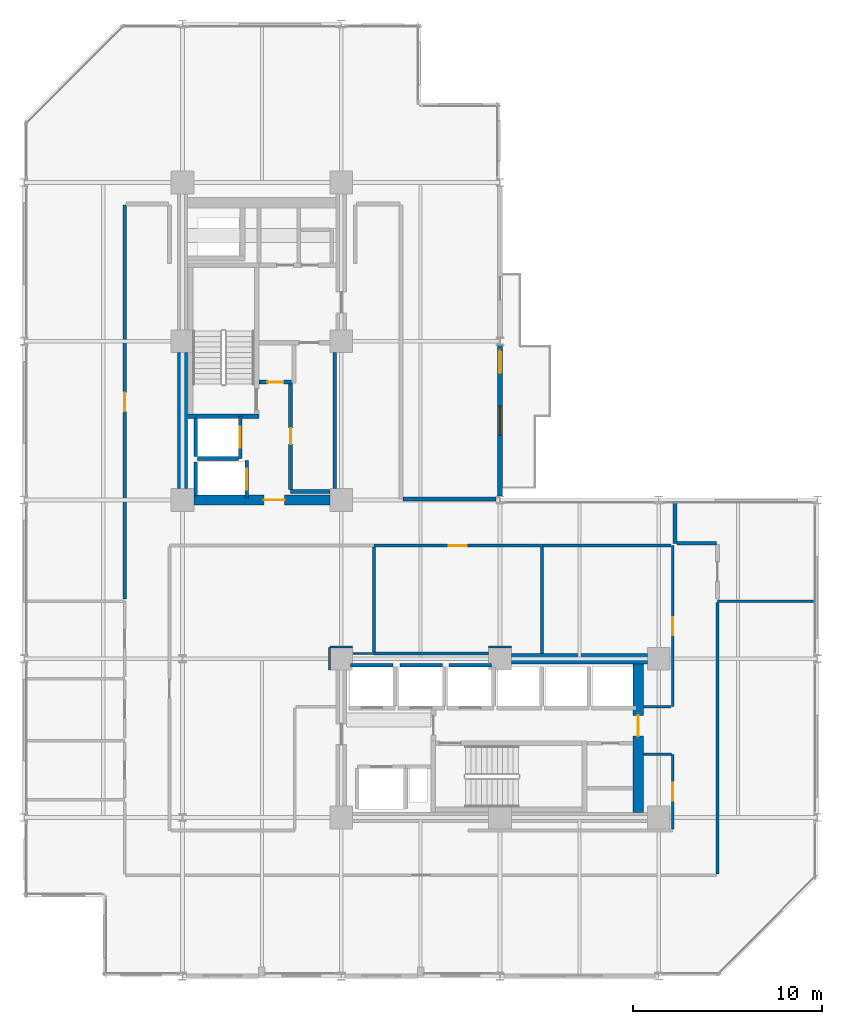
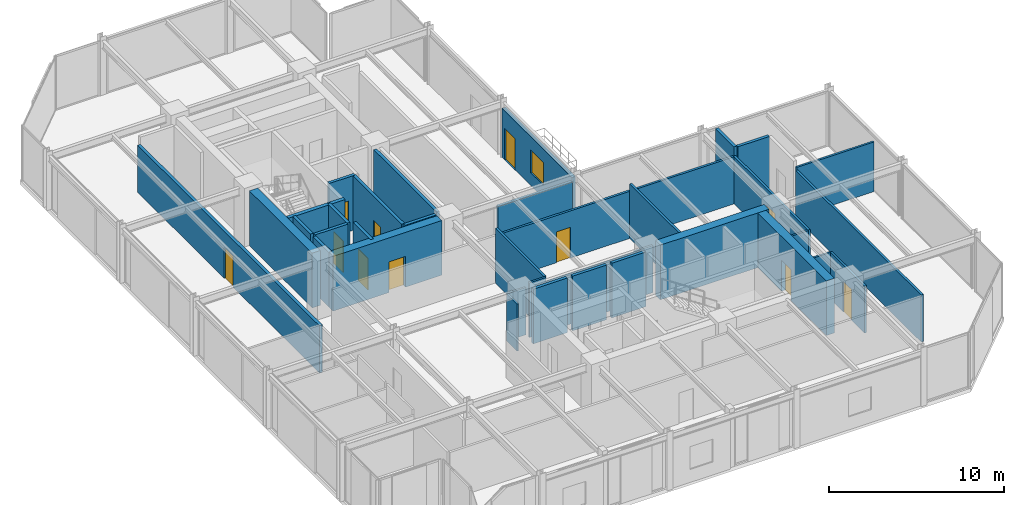
# One storey, part 25 of 29: 37 walls, 11 doors, 1 window, 12 openings.
"""IFC4 building model written with IfcOpenShell, lengths in metres."""

from ifc_helpers import new_model, si_unit, direction, frame, frame_2d, origin, place, context, subcontext, project, spatial, rectangle, extrude, material, layer, layer_set, type_object, element, fill, save


model = new_model("IFC4")

# Units and contexts
model_context = context("Model", 3, precision=1e-05, world=origin(), true_north=direction((0.0, 1.0)))
body_context = subcontext(model_context, "Body", "Model", "MODEL_VIEW")
ifc_project = project(units=[si_unit("LENGTHUNIT", "METRE"), si_unit("AREAUNIT", "SQUARE_METRE"), si_unit("VOLUMEUNIT", "CUBIC_METRE"), si_unit("PLANEANGLEUNIT", "RADIAN"), si_unit("MASSUNIT", "GRAM", prefix="KILO")], contexts=[model_context])

# Site, building, storey
site_placement = place(None, origin())
site = spatial("IfcSite", under=ifc_project, at=site_placement, CompositionType="ELEMENT")
building_placement = place(site_placement, origin())
building = spatial("IfcBuilding", under=site, at=building_placement, Name="Nerrivon Quay Data Exchange", CompositionType="ELEMENT")
storey_placement = place(building_placement, frame((0.0, 0.0, 145.89990234375)))
storey = spatial("IfcBuildingStorey", under=building, at=storey_placement, Name="L34", CompositionType="ELEMENT", Elevation=145.89990234375)

# Wall, openings, door, window
ifc_material_1 = material(Name="Architectural terracotta precast concrete N50 (50 MPa)", Category="masonry")
ifc_layer_1 = layer(ifc_material_1, 0.239990234375)
ifc_layer_set_1 = layer_set([ifc_layer_1], Name="Architectural terracotta precast concrete N50 (50 MPa)")
wall_type_1 = type_object("IfcWallType", Name="EW-PREC-240", PredefinedType="STANDARD", material=ifc_layer_set_1)
wall_1_placement = place(storey_placement, frame((25.199951171875, 33.39990234375, 0.0), z_axis=(0.0, 0.0, 1.0), x_axis=(0.0, -1.0, 0.0)))
wall_1 = element("IfcWall", 1, at=wall_1_placement, inside=storey, type_object=wall_type_1, Name="L34 Terrace Host Wall 25", PredefinedType="STANDARD", context=body_context, shape_type="SweptSolid", body=[
    extrude(rectangle(XDim=8.0, YDim=0.239990234375, at=frame_2d((4.0, 0.0))), origin(), (0.0, 0.0, 1.0), 3.422119140625),
])
opening_1_placement = place(wall_1_placement, frame((0.300048828125, 0.0, 0.0)))
opening_1 = element("IfcOpeningElement", 2, at=opening_1_placement, cuts=wall_1, Name="Opening TD1", PredefinedType="OPENING", context=body_context, shape_type="SweptSolid", body=[
    extrude(rectangle(XDim=1.199951171875, YDim=2.199951171875, at=frame_2d((0.60009765625, 1.10009765625))), frame((0.0, 0.1298828125, 0.0), z_axis=(0.0, -1.0, 0.0), x_axis=(1.0, 0.0, 0.0)), (0.0, 0.0, 1.0), 0.260009765625),
])
opening_2_placement = place(wall_1_placement, frame((3.25, 0.0, 0.89990234375)))
opening_2 = element("IfcOpeningElement", 3, at=opening_2_placement, cuts=wall_1, Name="Opening WN4", PredefinedType="OPENING", context=body_context, shape_type="SweptSolid", body=[
    extrude(rectangle(XDim=1.5, YDim=1.60009765625, at=frame_2d((0.75, 0.800048828125))), frame((0.0, 0.1298828125, 0.0), z_axis=(0.0, -1.0, 0.0), x_axis=(1.0, 0.0, 0.0)), (0.0, 0.0, 1.0), 0.260009765625),
])
ifc_material_2 = material(Name="Double-glazed low-E solar control glass", Category="glass")
door_type_1 = type_object("IfcDoorType", Name="DR-TERR-1200x2200", OperationType="NOTDEFINED", PredefinedType="DOOR", material=ifc_material_2)
door_1_placement = place(opening_1_placement, origin())
door_1 = element("IfcDoor", 4, at=door_1_placement, inside=storey, type_object=door_type_1, Name="L34 Outdoor Terrace Access Door 25", OperationType="SINGLE_SWING_RIGHT", OverallHeight=2.199951171875, OverallWidth=1.199951171875, PredefinedType="DOOR", context=body_context, shape_type="SweptSolid", body=[
    extrude(rectangle(XDim=1.199951171875, YDim=2.199951171875, at=frame_2d((0.60009765625, 1.10009765625))), frame((0.0, 0.02490234375, 0.0), z_axis=(0.0, -1.0, 0.0), x_axis=(1.0, 0.0, 0.0)), (0.0, 0.0, 1.0), 0.050048828125),
])
fill(opening_1, door_1)
window_type = type_object("IfcWindowType", Name="WIN-W4-1500x1600", PartitioningType="SINGLE_PANEL", PredefinedType="WINDOW", material=ifc_material_2)
window_placement = place(opening_2_placement, origin())
window = element("IfcWindow", 5, at=window_placement, inside=storey, type_object=window_type, Name="L34 Terrace Side Window 25", OverallHeight=1.60009765625, OverallWidth=1.5, PartitioningType="SINGLE_PANEL", PredefinedType="WINDOW", context=body_context, shape_type="SweptSolid", body=[
    extrude(rectangle(XDim=1.5, YDim=1.60009765625, at=frame_2d((0.75, 0.800048828125))), frame((0.0, 0.030029296875, 0.0), z_axis=(0.0, -1.0, 0.0), x_axis=(1.0, 0.0, 0.0)), (0.0, 0.0, 1.0), 0.06005859375),
])
fill(opening_2, window)

# Wall
ifc_material_3 = material(Name="Concrete S65 (65 MPa)", Category="concrete")
ifc_layer_2 = layer(ifc_material_3, 0.550048828125)
ifc_layer_set_2 = layer_set([ifc_layer_2], Name="Concrete S65 (65 MPa)")
wall_type_2 = type_object("IfcWallType", Name="WALL-CW-700", PredefinedType="SHEAR", material=ifc_layer_set_2)
wall_2_placement = place(storey_placement, frame((8.39990234375, 25.800048828125, 0.0), z_axis=(0.0, 0.0, 1.0), x_axis=(0.0, 1.0, 0.0)))
element("IfcWall", 6, at=wall_2_placement, inside=storey, type_object=wall_type_2, Name="L34 West Split-Core Shear Wall WCW-W1", PredefinedType="SHEAR", context=body_context, shape_type="SweptSolid", body=[
    extrude(rectangle(XDim=7.199951171875, YDim=0.550048828125, at=frame_2d((3.60009765625, 0.0))), origin(), (0.0, 0.0, 1.0), 3.8251953125),
])

# Wall, opening, door
wall_3_placement = place(storey_placement, frame((9.0, 25.199951171875, 0.0), z_axis=(0.0, 0.0, 1.0), x_axis=(1.0, 0.0, 0.0)))
wall_3 = element("IfcWall", 7, at=wall_3_placement, inside=storey, type_object=wall_type_2, Name="L34 West Split-Core Shear Wall WCW-S1", PredefinedType="SHEAR", context=body_context, shape_type="SweptSolid", body=[
    extrude(rectangle(XDim=7.199951171875, YDim=0.550048828125, at=frame_2d((3.60009765625, 0.0))), origin(), (0.0, 0.0, 1.0), 3.8251953125),
])
opening_3_placement = place(wall_3_placement, frame((3.699951171875, 0.0, 0.0)))
opening_3 = element("IfcOpeningElement", 8, at=opening_3_placement, cuts=wall_3, Name="Opening FD-120", PredefinedType="OPENING", context=body_context, shape_type="SweptSolid", body=[
    extrude(rectangle(XDim=1.10009765625, YDim=2.14990234375, at=frame_2d((0.550048828125, 1.074951171875))), frame((0.0, 0.284912109375, 0.0), z_axis=(0.0, -1.0, 0.0), x_axis=(1.0, 0.0, 0.0)), (0.0, 0.0, 1.0), 0.570068359375),
])
ifc_material_4 = material(Name="Powder-coated galvanized steel sheet", Category="steel")
door_type_2 = type_object("IfcDoorType", Name="DR-FD120-1100", OperationType="NOTDEFINED", PredefinedType="DOOR", material=ifc_material_4)
door_2_placement = place(opening_3_placement, origin())
door_2 = element("IfcDoor", 9, at=door_2_placement, inside=storey, type_object=door_type_2, Name="L34 West Core Lobby Fire Door", OperationType="SINGLE_SWING_LEFT", OverallHeight=2.14990234375, OverallWidth=1.10009765625, PredefinedType="DOOR", context=body_context, shape_type="SweptSolid", body=[
    extrude(rectangle(XDim=1.10009765625, YDim=2.14990234375, at=frame_2d((0.550048828125, 1.074951171875))), frame((0.0, 0.02490234375, 0.0), z_axis=(0.0, -1.0, 0.0), x_axis=(1.0, 0.0, 0.0)), (0.0, 0.0, 1.0), 0.050048828125),
])
fill(opening_3, door_2)

wall_4_placement = place(storey_placement, frame((32.52490234375, 8.675048828125, 0.0), z_axis=(0.0, 0.0, 1.0), x_axis=(0.0, 1.0, 0.0)))
wall_4 = element("IfcWall", 10, at=wall_4_placement, inside=storey, type_object=wall_type_2, Name="L34 East Split-Core Shear Wall ECW-E1", PredefinedType="SHEAR", context=body_context, shape_type="SweptSolid", body=[
    extrude(rectangle(XDim=7.849853515625, YDim=0.550048828125, at=frame_2d((3.9248046875, 0.0))), origin(), (0.0, 0.0, 1.0), 3.8251953125),
])
opening_4_placement = place(wall_4_placement, frame((4.02490234375, 0.0, 0.0)))
opening_4 = element("IfcOpeningElement", 11, at=opening_4_placement, cuts=wall_4, Name="Opening FD-120", PredefinedType="OPENING", context=body_context, shape_type="SweptSolid", body=[
    extrude(rectangle(XDim=1.10009765625, YDim=2.14990234375, at=frame_2d((0.550048828125, 1.074951171875))), frame((0.0, 0.284912109375, 0.0), z_axis=(0.0, -1.0, 0.0), x_axis=(1.0, 0.0, 0.0)), (0.0, 0.0, 1.0), 0.570068359375),
])
door_3_placement = place(opening_4_placement, origin())
door_3 = element("IfcDoor", 12, at=door_3_placement, inside=storey, type_object=door_type_2, Name="L34 East Core Lobby Fire Door", OperationType="SINGLE_SWING_RIGHT", OverallHeight=2.14990234375, OverallWidth=1.10009765625, PredefinedType="DOOR", context=body_context, shape_type="SweptSolid", body=[
    extrude(rectangle(XDim=1.10009765625, YDim=2.14990234375, at=frame_2d((0.550048828125, 1.074951171875))), frame((0.0, 0.02490234375, 0.0), z_axis=(0.0, -1.0, 0.0), x_axis=(1.0, 0.0, 0.0)), (0.0, 0.0, 1.0), 0.050048828125),
])
fill(opening_4, door_3)

# Wall
wall_5_placement = place(storey_placement, frame((25.800048828125, 16.800048828125, 0.0), z_axis=(0.0, 0.0, 1.0), x_axis=(1.0, 0.0, 0.0)))
element("IfcWall", 13, at=wall_5_placement, inside=storey, type_object=wall_type_2, Name="L34 East Split-Core Shear Wall ECW-N1", PredefinedType="SHEAR", context=body_context, shape_type="SweptSolid", body=[
    extrude(rectangle(XDim=7.199951171875, YDim=0.550048828125, at=frame_2d((3.60009765625, 0.0))), origin(), (0.0, 0.0, 1.0), 3.8251953125),
])

# Wall, opening, door
ifc_material_5 = material(Name="Gypsum plasterboard on cold-formed framing", Category="gypsum")
ifc_layer_3 = layer(ifc_material_5, 0.199951171875)
ifc_layer_set_3 = layer_set([ifc_layer_3], Name="Gypsum plasterboard on cold-formed framing")
wall_type_3 = type_object("IfcWallType", Name="WALL-FW-200", PredefinedType="PARTITIONING", material=ifc_layer_set_3)
wall_6_placement = place(storey_placement, frame((11.449951171875, 27.39990234375, 0.0), z_axis=(0.0, 0.0, 1.0), x_axis=(0.0, 1.0, 0.0)))
wall_6 = element("IfcWall", 14, at=wall_6_placement, inside=storey, type_object=wall_type_3, Name="L34 Lift Front Wall FFL-1", PredefinedType="PARTITIONING", context=body_context, shape_type="SweptSolid", body=[
    extrude(rectangle(XDim=2.25, YDim=0.199951171875, at=frame_2d((1.125, 0.0))), origin(), (0.0, 0.0, 1.0), 3.8251953125),
])
opening_5_placement = place(wall_6_placement, frame((0.574951171875, 0.0, 0.0)))
opening_5 = element("IfcOpeningElement", 15, at=opening_5_placement, cuts=wall_6, Name="Opening LD-120", PredefinedType="OPENING", context=body_context, shape_type="SweptSolid", body=[
    extrude(rectangle(XDim=1.10009765625, YDim=2.199951171875, at=frame_2d((0.550048828125, 1.10009765625))), frame((0.0, 0.10986328125, 0.0), z_axis=(0.0, -1.0, 0.0), x_axis=(1.0, 0.0, 0.0)), (0.0, 0.0, 1.0), 0.219970703125),
])
door_type_3 = type_object("IfcDoorType", Name="DR-LIFT-LD120", OperationType="DOUBLE_DOOR_SLIDING", PredefinedType="DOOR", material=ifc_material_4)
door_4_placement = place(opening_5_placement, origin())
door_4 = element("IfcDoor", 16, at=door_4_placement, inside=storey, type_object=door_type_3, Name="L34 Lift Landing Sliding Door FFL-1", OperationType="DOUBLE_DOOR_SLIDING", OverallHeight=2.199951171875, OverallWidth=1.10009765625, PredefinedType="DOOR", context=body_context, shape_type="SweptSolid", body=[
    extrude(rectangle(XDim=1.10009765625, YDim=2.199951171875, at=frame_2d((0.550048828125, 1.10009765625))), frame((0.0, 0.02490234375, 0.0), z_axis=(0.0, -1.0, 0.0), x_axis=(1.0, 0.0, 0.0)), (0.0, 0.0, 1.0), 0.050048828125),
])
fill(opening_5, door_4)

# Walls
wall_7_placement = place(storey_placement, frame((9.10009765625, 27.5, 0.0), z_axis=(0.0, 0.0, 1.0), x_axis=(0.0, 1.0, 0.0)))
element("IfcWall", 17, at=wall_7_placement, inside=storey, type_object=wall_type_3, Name="L34 Lift Shaft Wall FFL-1 WEST", PredefinedType="PARTITIONING", context=body_context, shape_type="SweptSolid", body=[
    extrude(rectangle(XDim=2.050048828125, YDim=0.199951171875, at=frame_2d((1.02490234375, 0.0))), origin(), (0.0, 0.0, 1.0), 3.8251953125),
])
wall_8_placement = place(storey_placement, frame((9.199951171875, 27.39990234375, 0.0), z_axis=(0.0, 0.0, 1.0), x_axis=(1.0, 0.0, 0.0)))
element("IfcWall", 18, at=wall_8_placement, inside=storey, type_object=wall_type_3, Name="L34 Lift Shaft Wall FFL-1 SOUTH", PredefinedType="PARTITIONING", context=body_context, shape_type="SweptSolid", body=[
    extrude(rectangle(XDim=2.150146484375, YDim=0.199951171875, at=frame_2d((1.0751953125, 0.0))), origin(), (0.0, 0.0, 1.0), 3.8251953125),
])

# Wall, opening, door
wall_9_placement = place(storey_placement, frame((11.800048828125, 25.300048828125, 0.0), z_axis=(0.0, 0.0, 1.0), x_axis=(0.0, 1.0, 0.0)))
wall_9 = element("IfcWall", 19, at=wall_9_placement, inside=storey, type_object=wall_type_3, Name="L34 Lift Front Wall SVL-1", PredefinedType="PARTITIONING", context=body_context, shape_type="SweptSolid", body=[
    extrude(rectangle(XDim=2.0, YDim=0.199951171875, at=frame_2d((1.0, 0.0))), origin(), (0.0, 0.0, 1.0), 3.8251953125),
])
opening_6_placement = place(wall_9_placement, frame((0.449951171875, 0.0, 0.0)))
opening_6 = element("IfcOpeningElement", 20, at=opening_6_placement, cuts=wall_9, Name="Opening LD-120", PredefinedType="OPENING", context=body_context, shape_type="SweptSolid", body=[
    extrude(rectangle(XDim=1.10009765625, YDim=2.199951171875, at=frame_2d((0.550048828125, 1.10009765625))), frame((0.0, 0.10986328125, 0.0), z_axis=(0.0, -1.0, 0.0), x_axis=(1.0, 0.0, 0.0)), (0.0, 0.0, 1.0), 0.219970703125),
])
door_5_placement = place(opening_6_placement, origin())
door_5 = element("IfcDoor", 21, at=door_5_placement, inside=storey, type_object=door_type_3, Name="L34 Lift Landing Sliding Door SVL-1", OperationType="DOUBLE_DOOR_SLIDING", OverallHeight=2.199951171875, OverallWidth=1.10009765625, PredefinedType="DOOR", context=body_context, shape_type="SweptSolid", body=[
    extrude(rectangle(XDim=1.10009765625, YDim=2.199951171875, at=frame_2d((0.550048828125, 1.10009765625))), frame((0.0, 0.02490234375, 0.0), z_axis=(0.0, -1.0, 0.0), x_axis=(1.0, 0.0, 0.0)), (0.0, 0.0, 1.0), 0.050048828125),
])
fill(opening_6, door_5)

# Walls
wall_10_placement = place(storey_placement, frame((9.10009765625, 25.39990234375, 0.0), z_axis=(0.0, 0.0, 1.0), x_axis=(0.0, 1.0, 0.0)))
element("IfcWall", 22, at=wall_10_placement, inside=storey, type_object=wall_type_3, Name="L34 Lift Shaft Wall SVL-1 WEST", PredefinedType="PARTITIONING", context=body_context, shape_type="SweptSolid", body=[
    extrude(rectangle(XDim=1.800048828125, YDim=0.199951171875, at=frame_2d((0.89990234375, 0.0))), origin(), (0.0, 0.0, 1.0), 3.8251953125),
])
for number, where, z_axis, x_axis, name in (
    (23, (17.300048828125, 16.449951171875, 0.0), (0.0, 0.0, 1.0), (1.0, 0.0, 0.0), "L34 Lift Shaft Wall PL4 NORTH"),
    (24, (19.89990234375, 16.449951171875, 0.0), (0.0, 0.0, 1.0), (1.0, 0.0, 0.0), "L34 Lift Shaft Wall PL5 NORTH"),
    (25, (22.5, 16.449951171875, 0.0), (0.0, 0.0, 1.0), (1.0, 0.0, 0.0), "L34 Lift Shaft Wall PL6 NORTH"),
):
    element("IfcWall", number, at=place(storey_placement, frame(where, z_axis=z_axis, x_axis=x_axis)), inside=storey, type_object=wall_type_3, Name=name, PredefinedType="PARTITIONING", context=body_context, shape_type="SweptSolid", body=[
        extrude(rectangle(XDim=2.25, YDim=0.199951171875, at=frame_2d((1.125, 0.0))), origin(), (0.0, 0.0, 1.0), 3.8251953125),
    ])
wall_11_placement = place(storey_placement, frame((14.1201171875, 25.64990234375, 0.0), z_axis=(0.0, 0.0, 1.0), x_axis=(1.0, 0.0, 0.0)))
element("IfcWall", 26, at=wall_11_placement, inside=storey, type_object=wall_type_3, Name="L34 Partition Core Equipment Store", PredefinedType="PARTITIONING", context=body_context, shape_type="SweptSolid", body=[
    extrude(rectangle(XDim=2.074951171875, YDim=0.199951171875, at=frame_2d((1.03759765625, 0.0))), origin(), (0.0, 0.0, 1.0), 3.8251953125),
])
wall_12_placement = place(storey_placement, frame((16.449951171875, 25.804931640625, 0.0), z_axis=(0.0, 0.0, 1.0), x_axis=(0.0, 1.0, 0.0)))
element("IfcWall", 27, at=wall_12_placement, inside=storey, type_object=wall_type_3, Name="L34 Partition Core Equipment Store", PredefinedType="PARTITIONING", context=body_context, shape_type="SweptSolid", body=[
    extrude(rectangle(XDim=7.190185546875, YDim=0.199951171875, at=frame_2d((3.59521484375, 0.0))), origin(), (0.0, 0.0, 1.0), 3.8251953125),
])

# Wall, opening, door
wall_13_placement = place(storey_placement, frame((14.1201171875, 31.39990234375, 0.0), z_axis=(0.0, 0.0, 1.0), x_axis=(0.0, -1.0, 0.0)))
wall_13 = element("IfcWall", 28, at=wall_13_placement, inside=storey, type_object=wall_type_3, Name="L34 Partition Core Equipment Store", PredefinedType="PARTITIONING", context=body_context, shape_type="SweptSolid", body=[
    extrude(rectangle(XDim=5.64599609375, YDim=0.199951171875, at=frame_2d((2.822998046875, 0.0))), origin(), (0.0, 0.0, 1.0), 3.8251953125),
])
opening_7_placement = place(wall_13_placement, frame((2.39794921875, 0.0, 0.0)))
opening_7 = element("IfcOpeningElement", 29, at=opening_7_placement, cuts=wall_13, Name="Opening FD-60S", PredefinedType="OPENING", context=body_context, shape_type="SweptSolid", body=[
    extrude(rectangle(XDim=0.85009765625, YDim=2.14990234375, at=frame_2d((0.425048828125, 1.074951171875))), frame((0.0, 0.10986328125, 0.0), z_axis=(0.0, -1.0, 0.0), x_axis=(1.0, 0.0, 0.0)), (0.0, 0.0, 1.0), 0.219970703125),
])
ifc_material_6 = material(Name="Engineered hardwood timber", Category="wood")
door_type_4 = type_object("IfcDoorType", Name="DR-FD60-850", OperationType="NOTDEFINED", PredefinedType="DOOR", material=ifc_material_6)
door_6_placement = place(opening_7_placement, origin())
door_6 = element("IfcDoor", 30, at=door_6_placement, inside=storey, type_object=door_type_4, Name="L34 Door Core Equipment Store", OperationType="SINGLE_SWING_RIGHT", OverallHeight=2.14990234375, OverallWidth=0.85009765625, PredefinedType="DOOR", context=body_context, shape_type="SweptSolid", body=[
    extrude(rectangle(XDim=0.85009765625, YDim=2.14990234375, at=frame_2d((0.425048828125, 1.074951171875))), frame((0.0, 0.02490234375, 0.0), z_axis=(0.0, -1.0, 0.0), x_axis=(1.0, 0.0, 0.0)), (0.0, 0.0, 1.0), 0.050048828125),
])
fill(opening_7, door_6)

wall_14_placement = place(storey_placement, frame((12.4541015625, 31.43994140625, 0.0), z_axis=(0.0, 0.0, 1.0), x_axis=(1.0, 0.0, 0.0)))
wall_14 = element("IfcWall", 31, at=wall_14_placement, inside=storey, type_object=wall_type_3, Name="L34 Partition Optical Patch Closet", PredefinedType="PARTITIONING", context=body_context, shape_type="SweptSolid", body=[
    extrude(rectangle(XDim=1.725830078125, YDim=0.199951171875, at=frame_2d((0.86279296875, 0.0))), origin(), (0.0, 0.0, 1.0), 3.8251953125),
])
opening_8_placement = place(wall_14_placement, frame((0.43798828125, 0.0, 0.0)))
opening_8 = element("IfcOpeningElement", 32, at=opening_8_placement, cuts=wall_14, Name="Opening FD-60S", PredefinedType="OPENING", context=body_context, shape_type="SweptSolid", body=[
    extrude(rectangle(XDim=0.85009765625, YDim=2.14990234375, at=frame_2d((0.425048828125, 1.074951171875))), frame((0.0, 0.10986328125, 0.0), z_axis=(0.0, -1.0, 0.0), x_axis=(1.0, 0.0, 0.0)), (0.0, 0.0, 1.0), 0.219970703125),
])
door_7_placement = place(opening_8_placement, origin())
door_7 = element("IfcDoor", 33, at=door_7_placement, inside=storey, type_object=door_type_4, Name="L34 Door Optical Patch Closet", OperationType="SINGLE_SWING_LEFT", OverallHeight=2.14990234375, OverallWidth=0.85009765625, PredefinedType="DOOR", context=body_context, shape_type="SweptSolid", body=[
    extrude(rectangle(XDim=0.85009765625, YDim=2.14990234375, at=frame_2d((0.425048828125, 1.074951171875))), frame((0.0, 0.02490234375, 0.0), z_axis=(0.0, -1.0, 0.0), x_axis=(1.0, 0.0, 0.0)), (0.0, 0.0, 1.0), 0.050048828125),
])
fill(opening_8, door_7)

# Walls
wall_15_placement = place(storey_placement, frame((34.4599609375, 25.031005859375, 0.0), z_axis=(0.0, 0.0, 1.0), x_axis=(0.0, -1.0, 0.0)))
element("IfcWall", 34, at=wall_15_placement, inside=storey, type_object=wall_type_3, Name="L34 Partition Colocation Data Workspace 1", PredefinedType="PARTITIONING", context=body_context, shape_type="SweptSolid", body=[
    extrude(rectangle(XDim=2.12109375, YDim=0.199951171875, at=frame_2d((1.060546875, 0.0))), origin(), (0.0, 0.0, 1.0), 3.8251953125),
])
wall_16_placement = place(storey_placement, frame((34.56396484375, 22.909912109375, 0.0), z_axis=(0.0, 0.0, 1.0), x_axis=(1.0, 0.0, 0.0)))
element("IfcWall", 35, at=wall_16_placement, inside=storey, type_object=wall_type_3, Name="L34 Partition Colocation Data Workspace 1", PredefinedType="PARTITIONING", context=body_context, shape_type="SweptSolid", body=[
    extrude(rectangle(XDim=2.0859375, YDim=0.199951171875, at=frame_2d((1.04296875, 0.0))), origin(), (0.0, 0.0, 1.0), 3.8251953125),
])

# Wall, opening, door
wall_17_placement = place(storey_placement, frame((5.340087890625, 19.963134765625, 0.0), z_axis=(0.0, 0.0, 1.0), x_axis=(1.1713442e-05, 0.999999999931, 0.0)))
wall_17 = element("IfcWall", 36, at=wall_17_placement, inside=storey, type_object=wall_type_3, Name="L34 Partition Colocation Data Workspace 1", PredefinedType="PARTITIONING", context=body_context, shape_type="SweptSolid", body=[
    extrude(rectangle(XDim=20.8427734375, YDim=0.199951171875, at=frame_2d((10.42138671875, 0.0))), origin(), (0.0, 0.0, 1.0), 3.2919921875),
])
opening_9_placement = place(wall_17_placement, frame((9.92138671875, 0.0, 0.0)))
opening_9 = element("IfcOpeningElement", 37, at=opening_9_placement, cuts=wall_17, Name="Opening FD-60", PredefinedType="OPENING", context=body_context, shape_type="SweptSolid", body=[
    extrude(rectangle(XDim=1.0, YDim=2.14990234375, at=frame_2d((0.5, 1.074951171875))), frame((0.0, 0.10986328125, 0.0), z_axis=(0.0, -1.0, 0.0), x_axis=(1.0, 0.0, 0.0)), (0.0, 0.0, 1.0), 0.219970703125),
])
door_type_5 = type_object("IfcDoorType", Name="DR-FD60-1000", OperationType="NOTDEFINED", PredefinedType="DOOR", material=ifc_material_6)
door_8_placement = place(opening_9_placement, origin())
door_8 = element("IfcDoor", 38, at=door_8_placement, inside=storey, type_object=door_type_5, Name="L34 Door Colocation Data Workspace 1", OperationType="SINGLE_SWING_RIGHT", OverallHeight=2.14990234375, OverallWidth=1.0, PredefinedType="DOOR", context=body_context, shape_type="SweptSolid", body=[
    extrude(rectangle(XDim=1.0, YDim=2.14990234375, at=frame_2d((0.5, 1.074951171875))), frame((0.0, 0.02490234375, 0.0), z_axis=(0.0, -1.0, 0.0), x_axis=(1.0, 0.0, 0.0)), (0.0, 0.0, 1.0), 0.050048828125),
])
fill(opening_9, door_8)

# Walls
wall_18_placement = place(storey_placement, frame((20.06396484375, 25.260009765625, 0.0), z_axis=(0.0, 0.0, 1.0), x_axis=(1.0, 0.0, 0.0)))
element("IfcWall", 39, at=wall_18_placement, inside=storey, type_object=wall_type_3, Name="L34 Partition Colocation Data Workspace 1", PredefinedType="PARTITIONING", context=body_context, shape_type="SweptSolid", body=[
    extrude(rectangle(XDim=4.916015625, YDim=0.199951171875, at=frame_2d((2.4580078125, 0.0))), origin(), (0.0, 0.0, 1.0), 3.2919921875),
])
ifc_layer_4 = layer(ifc_material_5, 0.1201171875)
ifc_layer_set_4 = layer_set([ifc_layer_4], Name="Gypsum plasterboard on cold-formed framing")
wall_type_4 = type_object("IfcWallType", Name="WALL-PT-120", PredefinedType="PARTITIONING", material=ifc_layer_set_4)
wall_19_placement = place(storey_placement, frame((34.2685546875, 11.739990234375, 0.0), z_axis=(0.0, 0.0, 1.0), x_axis=(-1.0, 0.0, 0.0)))
element("IfcWall", 40, at=wall_19_placement, inside=storey, type_object=wall_type_4, Name="L34 Partition Staff Pantry", PredefinedType="PARTITIONING", context=body_context, shape_type="SweptSolid", body=[
    extrude(rectangle(XDim=1.464599609375, YDim=0.1201171875, at=frame_2d((0.732421875, 0.0))), origin(), (0.0, 0.0, 1.0), 3.297119140625),
])
wall_20_placement = place(storey_placement, frame((32.803955078125, 14.260009765625, 0.0), z_axis=(0.0, 0.0, 1.0), x_axis=(1.0, 0.0, 0.0)))
element("IfcWall", 41, at=wall_20_placement, inside=storey, type_object=wall_type_4, Name="L34 Partition Mail and Crew Room", PredefinedType="PARTITIONING", context=body_context, shape_type="SweptSolid", body=[
    extrude(rectangle(XDim=1.45703125, YDim=0.1201171875, at=frame_2d((0.728515625, 0.0))), origin(), (0.0, 0.0, 1.0), 3.297119140625),
])
wall_21_placement = place(storey_placement, frame((24.59423828125, 17.419189453125, 0.0), z_axis=(0.0, 0.0, 1.0), x_axis=(0.999999815526, 0.000607410295, 0.0)))
element("IfcWall", 42, at=wall_21_placement, inside=storey, type_object=wall_type_4, Name="L34 Partition Client Conference Room 1", PredefinedType="PARTITIONING", context=body_context, shape_type="SweptSolid", body=[
    extrude(rectangle(XDim=1.205810546875, YDim=0.1201171875, at=frame_2d((0.60302734375, 0.0))), origin(), (0.0, 0.0, 1.0), 3.297119140625),
])
wall_22_placement = place(storey_placement, frame((16.180908203125, 16.194091796875, 0.0), z_axis=(0.0, 0.0, 1.0), x_axis=(-0.000809880277, 0.999999672047, 0.0)))
element("IfcWall", 43, at=wall_22_placement, inside=storey, type_object=wall_type_4, Name="L34 Partition Peering Huddle Meeting Room", PredefinedType="PARTITIONING", context=body_context, shape_type="SweptSolid", body=[
    extrude(rectangle(XDim=1.205810546875, YDim=0.1201171875, at=frame_2d((0.60302734375, 0.0))), origin(), (0.0, 0.0, 1.0), 3.2919921875),
])
wall_23_placement = place(storey_placement, frame((16.199951171875, 17.419921875, 0.0), z_axis=(0.0, 0.0, 1.0), x_axis=(1.0, 0.0, 0.0)))
element("IfcWall", 44, at=wall_23_placement, inside=storey, type_object=wall_type_4, Name="L34 Partition Peering Huddle Meeting Room", PredefinedType="PARTITIONING", context=body_context, shape_type="SweptSolid", body=[
    extrude(rectangle(XDim=1.2021484375, YDim=0.1201171875, at=frame_2d((0.60107421875, 0.0))), origin(), (0.0, 0.0, 1.0), 3.297119140625),
])
wall_24_placement = place(storey_placement, frame((17.419921875, 17.074951171875, 0.0), z_axis=(0.0, 0.0, 1.0), x_axis=(1.0, 0.0, 0.0)))
element("IfcWall", 45, at=wall_24_placement, inside=storey, type_object=wall_type_4, Name="L34 Partition Peering Huddle Meeting Room", PredefinedType="PARTITIONING", context=body_context, shape_type="SweptSolid", body=[
    extrude(rectangle(XDim=1.099609375, YDim=0.1201171875, at=frame_2d((0.5498046875, 0.0))), origin(), (0.0, 0.0, 1.0), 3.8251953125),
])

# Wall, opening, door
ifc_layer_5 = layer(ifc_material_5, 0.135009765625)
ifc_layer_set_5 = layer_set([ifc_layer_5], Name="Gypsum plasterboard on cold-formed framing")
wall_type_5 = type_object("IfcWallType", Name="WALL-PT-135", PredefinedType="PARTITIONING", material=ifc_layer_set_5)
wall_25_placement = place(storey_placement, frame((34.340087890625, 7.7890625, 0.0), z_axis=(0.0, 0.0, 1.0), x_axis=(0.0, 1.0, 0.0)))
wall_25 = element("IfcWall", 46, at=wall_25_placement, inside=storey, type_object=wall_type_5, Name="L34 Partition Staff Pantry", PredefinedType="PARTITIONING", context=body_context, shape_type="SweptSolid", body=[
    extrude(rectangle(XDim=3.950927734375, YDim=0.135009765625, at=frame_2d((1.9755859375, 0.0))), origin(), (0.0, 0.0, 1.0), 3.2919921875),
])
opening_10_placement = place(wall_25_placement, frame((1.50048828125, 0.0, 0.0)))
opening_10 = element("IfcOpeningElement", 47, at=opening_10_placement, cuts=wall_25, Name="Opening D-01", PredefinedType="OPENING", context=body_context, shape_type="SweptSolid", body=[
    extrude(rectangle(XDim=0.949951171875, YDim=2.14990234375, at=frame_2d((0.47509765625, 1.074951171875))), frame((0.0, 0.077392578125, 0.0), z_axis=(0.0, -1.0, 0.0), x_axis=(1.0, 0.0, 0.0)), (0.0, 0.0, 1.0), 0.155029296875),
])
door_type_6 = type_object("IfcDoorType", Name="DR-INT-950", OperationType="NOTDEFINED", PredefinedType="DOOR", material=ifc_material_6)
door_9_placement = place(opening_10_placement, origin())
door_9 = element("IfcDoor", 48, at=door_9_placement, inside=storey, type_object=door_type_6, Name="L34 Door Staff Pantry", OperationType="SINGLE_SWING_LEFT", OverallHeight=2.14990234375, OverallWidth=0.949951171875, PredefinedType="DOOR", context=body_context, shape_type="SweptSolid", body=[
    extrude(rectangle(XDim=0.949951171875, YDim=2.14990234375, at=frame_2d((0.47509765625, 1.074951171875))), frame((0.0, 0.02490234375, 0.0), z_axis=(0.0, -1.0, 0.0), x_axis=(1.0, 0.0, 0.0)), (0.0, 0.0, 1.0), 0.050048828125),
])
fill(opening_10, door_9)

# Wall
wall_26_placement = place(storey_placement, frame((41.8310546875, 19.84326171875, 0.0), z_axis=(0.0, 0.0, 1.0), x_axis=(-1.0, 0.0, 0.0)))
element("IfcWall", 49, at=wall_26_placement, inside=storey, type_object=wall_type_5, Name="L34 Partition Technical Library", PredefinedType="PARTITIONING", context=body_context, shape_type="SweptSolid", body=[
    extrude(rectangle(XDim=5.12109375, YDim=0.135009765625, at=frame_2d((2.560546875, 0.0))), origin(), (0.0, 0.0, 1.0), 3.468994140625),
])

# Wall, opening, door
ifc_layer_6 = layer(ifc_material_5, 0.14990234375)
ifc_layer_set_6 = layer_set([ifc_layer_6], Name="Gypsum plasterboard on cold-formed framing")
wall_type_6 = type_object("IfcWallType", Name="WALL-PT-150", PredefinedType="PARTITIONING", material=ifc_layer_set_6)
wall_27_placement = place(storey_placement, frame((34.340087890625, 14.260009765625, 0.0), z_axis=(0.0, 0.0, 1.0), x_axis=(0.0, 1.0, 0.0)))
wall_27 = element("IfcWall", 50, at=wall_27_placement, inside=storey, type_object=wall_type_6, Name="L34 Partition Mail and Crew Room", PredefinedType="PARTITIONING", context=body_context, shape_type="SweptSolid", body=[
    extrude(rectangle(XDim=8.530029296875, YDim=0.14990234375, at=frame_2d((4.26513671875, 0.0))), origin(), (0.0, 0.0, 1.0), 3.2919921875),
])
opening_11_placement = place(wall_27_placement, frame((3.7900390625, 0.0, 0.0)))
opening_11 = element("IfcOpeningElement", 51, at=opening_11_placement, cuts=wall_27, Name="Opening D-01", PredefinedType="OPENING", context=body_context, shape_type="SweptSolid", body=[
    extrude(rectangle(XDim=0.949951171875, YDim=2.14990234375, at=frame_2d((0.47509765625, 1.074951171875))), frame((0.0, 0.0849609375, 0.0), z_axis=(0.0, -1.0, 0.0), x_axis=(1.0, 0.0, 0.0)), (0.0, 0.0, 1.0), 0.169921875),
])
door_10_placement = place(opening_11_placement, origin())
door_10 = element("IfcDoor", 52, at=door_10_placement, inside=storey, type_object=door_type_6, Name="L34 Door Mail and Crew Room", OperationType="SINGLE_SWING_LEFT", OverallHeight=2.14990234375, OverallWidth=0.949951171875, PredefinedType="DOOR", context=body_context, shape_type="SweptSolid", body=[
    extrude(rectangle(XDim=0.949951171875, YDim=2.14990234375, at=frame_2d((0.47509765625, 1.074951171875))), frame((0.0, 0.02490234375, 0.0), z_axis=(0.0, -1.0, 0.0), x_axis=(1.0, 0.0, 0.0)), (0.0, 0.0, 1.0), 0.050048828125),
])
fill(opening_11, door_10)

# Walls
wall_28_placement = place(storey_placement, frame((34.260986328125, 22.7900390625, 0.0), z_axis=(0.0, 0.0, 1.0), x_axis=(-1.0, 0.0, 0.0)))
element("IfcWall", 53, at=wall_28_placement, inside=storey, type_object=wall_type_6, Name="L34 Partition Mail and Crew Room", PredefinedType="PARTITIONING", context=body_context, shape_type="SweptSolid", body=[
    extrude(rectangle(XDim=6.8447265625, YDim=0.14990234375, at=frame_2d((3.42236328125, 0.0))), origin(), (0.0, 0.0, 1.0), 3.297119140625),
])
wall_29_placement = place(storey_placement, frame((27.416259765625, 22.7109375, 0.0), z_axis=(0.0, 0.0, 1.0), x_axis=(0.0, -1.0, 0.0)))
element("IfcWall", 54, at=wall_29_placement, inside=storey, type_object=wall_type_6, Name="L34 Partition Mail and Crew Room", PredefinedType="PARTITIONING", context=body_context, shape_type="SweptSolid", body=[
    extrude(rectangle(XDim=5.6318359375, YDim=0.14990234375, at=frame_2d((2.81591796875, 0.0))), origin(), (0.0, 0.0, 1.0), 3.8251953125),
])
wall_30_placement = place(storey_placement, frame((18.53955078125, 17.074951171875, 0.0), z_axis=(0.0, 0.0, 1.0), x_axis=(1.0, 0.0, 0.0)))
element("IfcWall", 55, at=wall_30_placement, inside=storey, type_object=wall_type_6, Name="L34 Partition Client Conference Room 1", PredefinedType="PARTITIONING", context=body_context, shape_type="SweptSolid", body=[
    extrude(rectangle(XDim=6.04052734375, YDim=0.14990234375, at=frame_2d((3.020263671875, 0.0))), origin(), (0.0, 0.0, 1.0), 3.468994140625),
])

# Wall, opening, door
wall_31_placement = place(storey_placement, frame((27.396240234375, 22.7900390625, 0.0), z_axis=(0.0, 0.0, 1.0), x_axis=(-1.0, 0.0, 0.0)))
wall_31 = element("IfcWall", 56, at=wall_31_placement, inside=storey, type_object=wall_type_6, Name="L34 Partition Client Conference Room 1", PredefinedType="PARTITIONING", context=body_context, shape_type="SweptSolid", body=[
    extrude(rectangle(XDim=8.856689453125, YDim=0.14990234375, at=frame_2d((4.42822265625, 0.0))), origin(), (0.0, 0.0, 1.0), 3.297119140625),
])
opening_12_placement = place(wall_31_placement, frame((3.953369140625, 0.0, 0.0)))
opening_12 = element("IfcOpeningElement", 57, at=opening_12_placement, cuts=wall_31, Name="Opening D-01", PredefinedType="OPENING", context=body_context, shape_type="SweptSolid", body=[
    extrude(rectangle(XDim=0.949951171875, YDim=2.14990234375, at=frame_2d((0.47509765625, 1.074951171875))), frame((0.0, 0.0849609375, 0.0), z_axis=(0.0, -1.0, 0.0), x_axis=(1.0, 0.0, 0.0)), (0.0, 0.0, 1.0), 0.169921875),
])
door_11_placement = place(opening_12_placement, origin())
door_11 = element("IfcDoor", 58, at=door_11_placement, inside=storey, type_object=door_type_6, Name="L34 Door Client Conference Room 1", OperationType="SINGLE_SWING_RIGHT", OverallHeight=2.14990234375, OverallWidth=0.949951171875, PredefinedType="DOOR", context=body_context, shape_type="SweptSolid", body=[
    extrude(rectangle(XDim=0.949951171875, YDim=2.14990234375, at=frame_2d((0.47509765625, 1.074951171875))), frame((0.0, 0.02490234375, 0.0), z_axis=(0.0, -1.0, 0.0), x_axis=(1.0, 0.0, 0.0)), (0.0, 0.0, 1.0), 0.050048828125),
])
fill(opening_12, door_11)

# Walls
wall_32_placement = place(storey_placement, frame((18.53955078125, 22.7109375, 0.0), z_axis=(0.0, 0.0, 1.0), x_axis=(0.0, -1.0, 0.0)))
element("IfcWall", 59, at=wall_32_placement, inside=storey, type_object=wall_type_6, Name="L34 Partition Client Conference Room 1", PredefinedType="PARTITIONING", context=body_context, shape_type="SweptSolid", body=[
    extrude(rectangle(XDim=5.556884765625, YDim=0.14990234375, at=frame_2d((2.7783203125, 0.0))), origin(), (0.0, 0.0, 1.0), 3.8251953125),
])
wall_33_placement = place(storey_placement, frame((36.7099609375, 19.771728515625, 0.0), z_axis=(0.0, 0.0, 1.0), x_axis=(0.0, -1.0, 0.0)))
element("IfcWall", 60, at=wall_33_placement, inside=storey, type_object=wall_type_6, Name="L34 Partition Technical Library", PredefinedType="PARTITIONING", context=body_context, shape_type="SweptSolid", body=[
    extrude(rectangle(XDim=14.371826171875, YDim=0.14990234375, at=frame_2d((7.18603515625, 0.0))), origin(), (0.0, 0.0, 1.0), 3.2919921875),
])
ifc_material_7 = material(Name="Concrete N50 (50 MPa)", Category="concrete")
ifc_layer_7 = layer(ifc_material_7, 0.25)
ifc_layer_set_7 = layer_set([ifc_layer_7], Name="Concrete N50 (50 MPa)")
wall_type_7 = type_object("IfcWallType", Name="WALL-SW-250", PredefinedType="SHEAR", material=ifc_layer_set_7)
wall_34_placement = place(storey_placement, frame((12.449951171875, 29.625, 0.0), z_axis=(0.0, 0.0, 1.0), x_axis=(-1.0, 0.0, 0.0)))
element("IfcWall", 61, at=wall_34_placement, inside=storey, type_object=wall_type_7, Name="L34 ST01 Structural Stair Core Wall NEAR", PredefinedType="SHEAR", context=body_context, shape_type="SweptSolid", body=[
    extrude(rectangle(XDim=3.75, YDim=0.25, at=frame_2d((1.875, 0.0))), origin(), (0.0, 0.0, 1.0), 3.8251953125),
])

save(model, "model.ifc")
